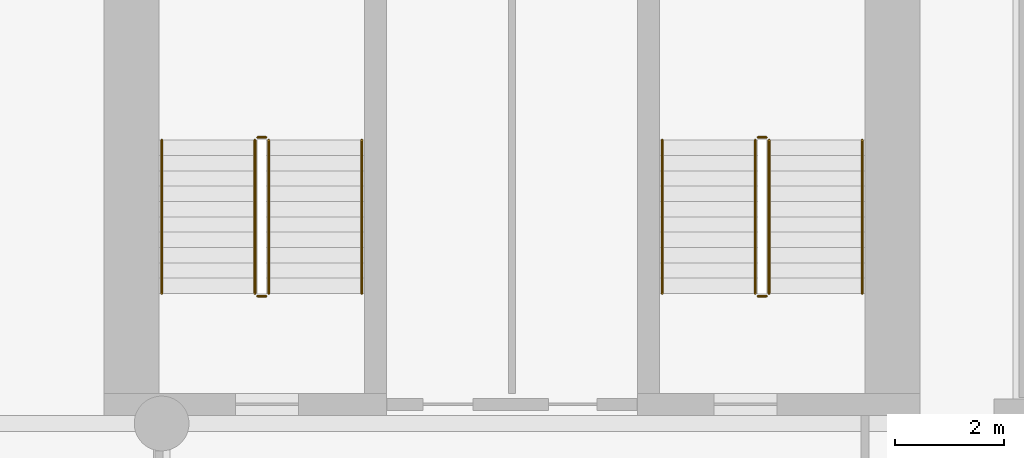
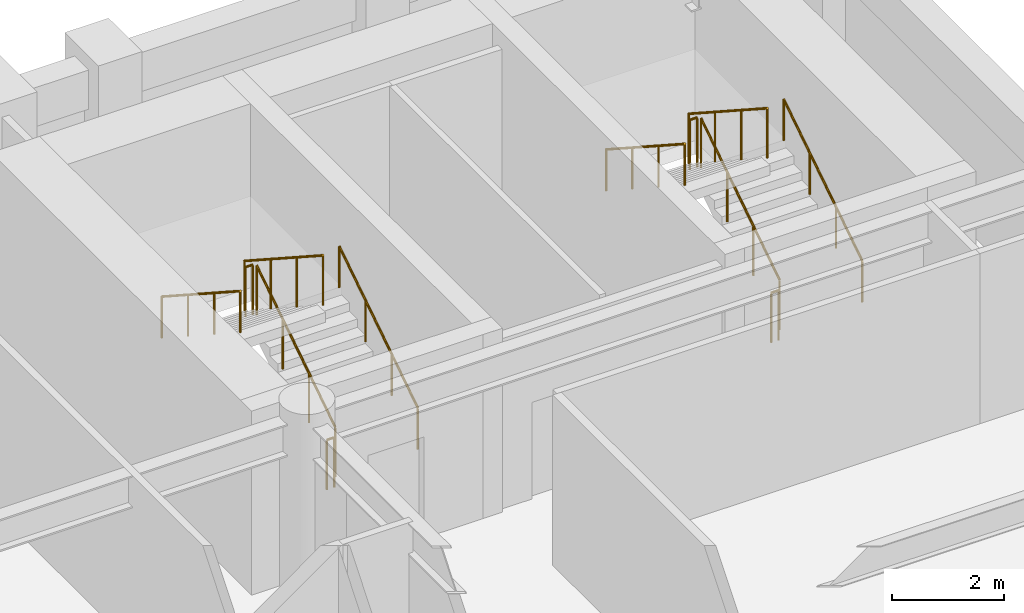
# One storey, part 8 of 8: 12 railings.
"""IFC4 building model written with IfcOpenShell, lengths in metres."""

from ifc_helpers import new_model, si_unit, direction, frame, origin, origin_2d, place, context, subcontext, project, spatial, circle, extrude, material, type_object, element, save


model = new_model("IFC4")

# Units and contexts
model_context = context("Model", 3, precision=1e-05, world=origin(), true_north=direction((0.0, 1.0)))
body_context = subcontext(model_context, "Body", "Model", "MODEL_VIEW")
ifc_project = project(units=[si_unit("LENGTHUNIT", "METRE"), si_unit("AREAUNIT", "SQUARE_METRE"), si_unit("VOLUMEUNIT", "CUBIC_METRE"), si_unit("PLANEANGLEUNIT", "RADIAN"), si_unit("MASSUNIT", "GRAM", prefix="KILO")], contexts=[model_context])

# Site, building, storey
site_placement = place(None, origin())
site = spatial("IfcSite", under=ifc_project, at=site_placement, CompositionType="ELEMENT")
building_placement = place(site_placement, origin())
building = spatial("IfcBuilding", under=site, at=building_placement, Name="Sulina Concourse Tower", CompositionType="ELEMENT")
storey_placement = place(building_placement, frame((0.0, 0.0, 70.60009765625)))
storey = spatial("IfcBuildingStorey", under=building, at=storey_placement, Name="L17", CompositionType="ELEMENT", Elevation=70.60009765625)

# Railings
ifc_material_1 = material(Name="Galvanised steel railing", Category="steel")
railing_type_1 = type_object("IfcRailingType", Name="Core Stair Steel Guardrail 1150mm", PredefinedType="GUARDRAIL", material=ifc_material_1)
railing_1_placement = place(storey_placement, frame((43.554931640625, 36.375, 0.181640625)))
element("IfcRailing", 1, at=railing_1_placement, inside=storey, type_object=railing_type_1, Name="L17 ST-3 stair guard 1", PredefinedType="GUARDRAIL", context=body_context, shape_type="SweptSolid", body=[
    extrude(circle(Radius=0.02392578125, at=origin_2d()), frame((0.0, 0.0, 1.076171875), z_axis=(0.0, 0.838672427954, 0.544636170843), x_axis=(-1.0, 0.0, 0.0)), (0.0, 0.0, 1.0), 3.338623046875),
    extrude(circle(Radius=0.02099609375, at=origin_2d()), origin(), (0.0, 0.0, 1.0), 1.052001953125),
    extrude(circle(Radius=0.02099609375, at=origin_2d()), frame((0.0, 0.933349609375, 0.606201171875)), (0.0, 0.0, 1.0), 1.052001953125),
    extrude(circle(Radius=0.02099609375, at=origin_2d()), frame((0.0, 1.86669921875, 1.212158203125)), (0.0, 0.0, 1.0), 1.052001953125),
    extrude(circle(Radius=0.02099609375, at=origin_2d()), frame((0.0, 2.800048828125, 1.818359375)), (0.0, 0.0, 1.0), 1.052001953125),
])
railing_2_placement = place(storey_placement, frame((43.5048828125, 39.22509765625, 2.0)))
element("IfcRailing", 2, at=railing_2_placement, inside=storey, type_object=railing_type_1, Name="L17 ST-3 stair guard 2", PredefinedType="GUARDRAIL", context=body_context, shape_type="SweptSolid", body=[
    extrude(circle(Radius=0.02392578125, at=origin_2d()), frame((0.0, 0.0, 1.076171875), z_axis=(-1.0, 0.0, 0.0), x_axis=(0.0, -1.0, 0.0)), (0.0, 0.0, 1.0), 0.14990234375),
    extrude(circle(Radius=0.02099609375, at=origin_2d()), origin(), (0.0, 0.0, 1.0), 1.052001953125),
    extrude(circle(Radius=0.02099609375, at=origin_2d()), frame((-0.14990234375, 0.0, 0.0)), (0.0, 0.0, 1.0), 1.052001953125),
])
railing_3_placement = place(storey_placement, frame((43.304931640625, 39.175048828125, 2.181640625)))
element("IfcRailing", 3, at=railing_3_placement, inside=storey, type_object=railing_type_1, Name="L17 ST-3 stair guard 3", PredefinedType="GUARDRAIL", context=body_context, shape_type="SweptSolid", body=[
    extrude(circle(Radius=0.02392578125, at=origin_2d()), frame((0.0, 0.0, 1.076171875), z_axis=(0.0, -0.838672427954, 0.544636170843), x_axis=(1.0, 0.0, 0.0)), (0.0, 0.0, 1.0), 3.338623046875),
    extrude(circle(Radius=0.02099609375, at=origin_2d()), origin(), (0.0, 0.0, 1.0), 1.052001953125),
    extrude(circle(Radius=0.02099609375, at=origin_2d()), frame((0.0, -0.933349609375, 0.606201171875)), (0.0, 0.0, 1.0), 1.052001953125),
    extrude(circle(Radius=0.02099609375, at=origin_2d()), frame((0.0, -1.86669921875, 1.212158203125)), (0.0, 0.0, 1.0), 1.052001953125),
    extrude(circle(Radius=0.02099609375, at=origin_2d()), frame((0.0, -2.800048828125, 1.818359375)), (0.0, 0.0, 1.0), 1.052001953125),
])
railing_4_placement = place(storey_placement, frame((43.5048828125, 36.324951171875, 0.0)))
element("IfcRailing", 4, at=railing_4_placement, inside=storey, type_object=railing_type_1, Name="L17 ST-3 stair guard 4", PredefinedType="GUARDRAIL", context=body_context, shape_type="SweptSolid", body=[
    extrude(circle(Radius=0.02392578125, at=origin_2d()), frame((0.0, 0.0, 1.076171875), z_axis=(-1.0, 0.0, 0.0), x_axis=(0.0, -1.0, 0.0)), (0.0, 0.0, 1.0), 0.14990234375),
    extrude(circle(Radius=0.02099609375, at=origin_2d()), origin(), (0.0, 0.0, 1.0), 1.052001953125),
    extrude(circle(Radius=0.02099609375, at=origin_2d()), frame((-0.14990234375, 0.0, 0.0)), (0.0, 0.0, 1.0), 1.052001953125),
])
railing_5_placement = place(storey_placement, frame((52.695068359375, 36.375, 0.181640625)))
element("IfcRailing", 5, at=railing_5_placement, inside=storey, type_object=railing_type_1, Name="L17 ST-4 stair guard 1", PredefinedType="GUARDRAIL", context=body_context, shape_type="SweptSolid", body=[
    extrude(circle(Radius=0.02392578125, at=origin_2d()), frame((0.0, 0.0, 1.076171875), z_axis=(0.0, 0.838672427954, 0.544636170843), x_axis=(-1.0, 0.0, 0.0)), (0.0, 0.0, 1.0), 3.338623046875),
    extrude(circle(Radius=0.02099609375, at=origin_2d()), origin(), (0.0, 0.0, 1.0), 1.052001953125),
    extrude(circle(Radius=0.02099609375, at=origin_2d()), frame((0.0, 0.933349609375, 0.606201171875)), (0.0, 0.0, 1.0), 1.052001953125),
    extrude(circle(Radius=0.02099609375, at=origin_2d()), frame((0.0, 1.86669921875, 1.212158203125)), (0.0, 0.0, 1.0), 1.052001953125),
    extrude(circle(Radius=0.02099609375, at=origin_2d()), frame((0.0, 2.800048828125, 1.818359375)), (0.0, 0.0, 1.0), 1.052001953125),
])
railing_6_placement = place(storey_placement, frame((52.64501953125, 39.22509765625, 2.0)))
element("IfcRailing", 6, at=railing_6_placement, inside=storey, type_object=railing_type_1, Name="L17 ST-4 stair guard 2", PredefinedType="GUARDRAIL", context=body_context, shape_type="SweptSolid", body=[
    extrude(circle(Radius=0.02392578125, at=origin_2d()), frame((0.0, 0.0, 1.076171875), z_axis=(-1.0, 0.0, 0.0), x_axis=(0.0, -1.0, 0.0)), (0.0, 0.0, 1.0), 0.14990234375),
    extrude(circle(Radius=0.02099609375, at=origin_2d()), origin(), (0.0, 0.0, 1.0), 1.052001953125),
    extrude(circle(Radius=0.02099609375, at=origin_2d()), frame((-0.14990234375, 0.0, 0.0)), (0.0, 0.0, 1.0), 1.052001953125),
])
railing_7_placement = place(storey_placement, frame((52.445068359375, 39.175048828125, 2.181640625)))
element("IfcRailing", 7, at=railing_7_placement, inside=storey, type_object=railing_type_1, Name="L17 ST-4 stair guard 3", PredefinedType="GUARDRAIL", context=body_context, shape_type="SweptSolid", body=[
    extrude(circle(Radius=0.02392578125, at=origin_2d()), frame((0.0, 0.0, 1.076171875), z_axis=(0.0, -0.838672427954, 0.544636170843), x_axis=(1.0, 0.0, 0.0)), (0.0, 0.0, 1.0), 3.338623046875),
    extrude(circle(Radius=0.02099609375, at=origin_2d()), origin(), (0.0, 0.0, 1.0), 1.052001953125),
    extrude(circle(Radius=0.02099609375, at=origin_2d()), frame((0.0, -0.933349609375, 0.606201171875)), (0.0, 0.0, 1.0), 1.052001953125),
    extrude(circle(Radius=0.02099609375, at=origin_2d()), frame((0.0, -1.86669921875, 1.212158203125)), (0.0, 0.0, 1.0), 1.052001953125),
    extrude(circle(Radius=0.02099609375, at=origin_2d()), frame((0.0, -2.800048828125, 1.818359375)), (0.0, 0.0, 1.0), 1.052001953125),
])
railing_8_placement = place(storey_placement, frame((52.64501953125, 36.324951171875, 0.0)))
element("IfcRailing", 8, at=railing_8_placement, inside=storey, type_object=railing_type_1, Name="L17 ST-4 stair guard 4", PredefinedType="GUARDRAIL", context=body_context, shape_type="SweptSolid", body=[
    extrude(circle(Radius=0.02392578125, at=origin_2d()), frame((0.0, 0.0, 1.076171875), z_axis=(-1.0, 0.0, 0.0), x_axis=(0.0, -1.0, 0.0)), (0.0, 0.0, 1.0), 0.14990234375),
    extrude(circle(Radius=0.02099609375, at=origin_2d()), origin(), (0.0, 0.0, 1.0), 1.052001953125),
    extrude(circle(Radius=0.02099609375, at=origin_2d()), frame((-0.14990234375, 0.0, 0.0)), (0.0, 0.0, 1.0), 1.052001953125),
])
ifc_material_2 = material(Name="Galvanised steel railing", Category="steel")
railing_type_2 = type_object("IfcRailingType", Name="Stair Wall Steel Handrail 920mm", PredefinedType="HANDRAIL", material=ifc_material_2)
railing_9_placement = place(storey_placement, frame((45.2548828125, 36.375, 0.181640625)))
element("IfcRailing", 9, at=railing_9_placement, inside=storey, type_object=railing_type_2, Name="L17 ST-3 stair handrail 1", PredefinedType="HANDRAIL", context=body_context, shape_type="SweptSolid", body=[
    extrude(circle(Radius=0.02392578125, at=origin_2d()), frame((0.0, 0.0, 0.89599609375), z_axis=(0.0, 0.838672427954, 0.544636170843), x_axis=(-1.0, 0.0, 0.0)), (0.0, 0.0, 1.0), 3.338623046875),
    extrude(circle(Radius=0.02099609375, at=origin_2d()), origin(), (0.0, 0.0, 1.0), 0.871826171875),
    extrude(circle(Radius=0.02099609375, at=origin_2d()), frame((0.0, 0.933349609375, 0.606201171875)), (0.0, 0.0, 1.0), 0.871826171875),
    extrude(circle(Radius=0.02099609375, at=origin_2d()), frame((0.0, 1.86669921875, 1.212158203125)), (0.0, 0.0, 1.0), 0.871826171875),
    extrude(circle(Radius=0.02099609375, at=origin_2d()), frame((0.0, 2.800048828125, 1.818359375)), (0.0, 0.0, 1.0), 0.871826171875),
])
railing_10_placement = place(storey_placement, frame((41.60498046875, 39.175048828125, 2.181640625)))
element("IfcRailing", 10, at=railing_10_placement, inside=storey, type_object=railing_type_2, Name="L17 ST-3 stair handrail 2", PredefinedType="HANDRAIL", context=body_context, shape_type="SweptSolid", body=[
    extrude(circle(Radius=0.02392578125, at=origin_2d()), frame((0.0, 0.0, 0.89599609375), z_axis=(0.0, -0.838672427954, 0.544636170843), x_axis=(1.0, 0.0, 0.0)), (0.0, 0.0, 1.0), 3.338623046875),
    extrude(circle(Radius=0.02099609375, at=origin_2d()), origin(), (0.0, 0.0, 1.0), 0.871826171875),
    extrude(circle(Radius=0.02099609375, at=origin_2d()), frame((0.0, -0.933349609375, 0.606201171875)), (0.0, 0.0, 1.0), 0.871826171875),
    extrude(circle(Radius=0.02099609375, at=origin_2d()), frame((0.0, -1.86669921875, 1.212158203125)), (0.0, 0.0, 1.0), 0.871826171875),
    extrude(circle(Radius=0.02099609375, at=origin_2d()), frame((0.0, -2.800048828125, 1.818359375)), (0.0, 0.0, 1.0), 0.871826171875),
])
railing_11_placement = place(storey_placement, frame((54.39501953125, 36.375, 0.181640625)))
element("IfcRailing", 11, at=railing_11_placement, inside=storey, type_object=railing_type_2, Name="L17 ST-4 stair handrail 1", PredefinedType="HANDRAIL", context=body_context, shape_type="SweptSolid", body=[
    extrude(circle(Radius=0.02392578125, at=origin_2d()), frame((0.0, 0.0, 0.89599609375), z_axis=(0.0, 0.838672427954, 0.544636170843), x_axis=(-1.0, 0.0, 0.0)), (0.0, 0.0, 1.0), 3.338623046875),
    extrude(circle(Radius=0.02099609375, at=origin_2d()), origin(), (0.0, 0.0, 1.0), 0.871826171875),
    extrude(circle(Radius=0.02099609375, at=origin_2d()), frame((0.0, 0.933349609375, 0.606201171875)), (0.0, 0.0, 1.0), 0.871826171875),
    extrude(circle(Radius=0.02099609375, at=origin_2d()), frame((0.0, 1.86669921875, 1.212158203125)), (0.0, 0.0, 1.0), 0.871826171875),
    extrude(circle(Radius=0.02099609375, at=origin_2d()), frame((0.0, 2.800048828125, 1.818359375)), (0.0, 0.0, 1.0), 0.871826171875),
])
railing_12_placement = place(storey_placement, frame((50.7451171875, 39.175048828125, 2.181640625)))
element("IfcRailing", 12, at=railing_12_placement, inside=storey, type_object=railing_type_2, Name="L17 ST-4 stair handrail 2", PredefinedType="HANDRAIL", context=body_context, shape_type="SweptSolid", body=[
    extrude(circle(Radius=0.02392578125, at=origin_2d()), frame((0.0, 0.0, 0.89599609375), z_axis=(0.0, -0.838672427954, 0.544636170843), x_axis=(1.0, 0.0, 0.0)), (0.0, 0.0, 1.0), 3.338623046875),
    extrude(circle(Radius=0.02099609375, at=origin_2d()), origin(), (0.0, 0.0, 1.0), 0.871826171875),
    extrude(circle(Radius=0.02099609375, at=origin_2d()), frame((0.0, -0.933349609375, 0.606201171875)), (0.0, 0.0, 1.0), 0.871826171875),
    extrude(circle(Radius=0.02099609375, at=origin_2d()), frame((0.0, -1.86669921875, 1.212158203125)), (0.0, 0.0, 1.0), 0.871826171875),
    extrude(circle(Radius=0.02099609375, at=origin_2d()), frame((0.0, -2.800048828125, 1.818359375)), (0.0, 0.0, 1.0), 0.871826171875),
])

save(model, "model.ifc")
